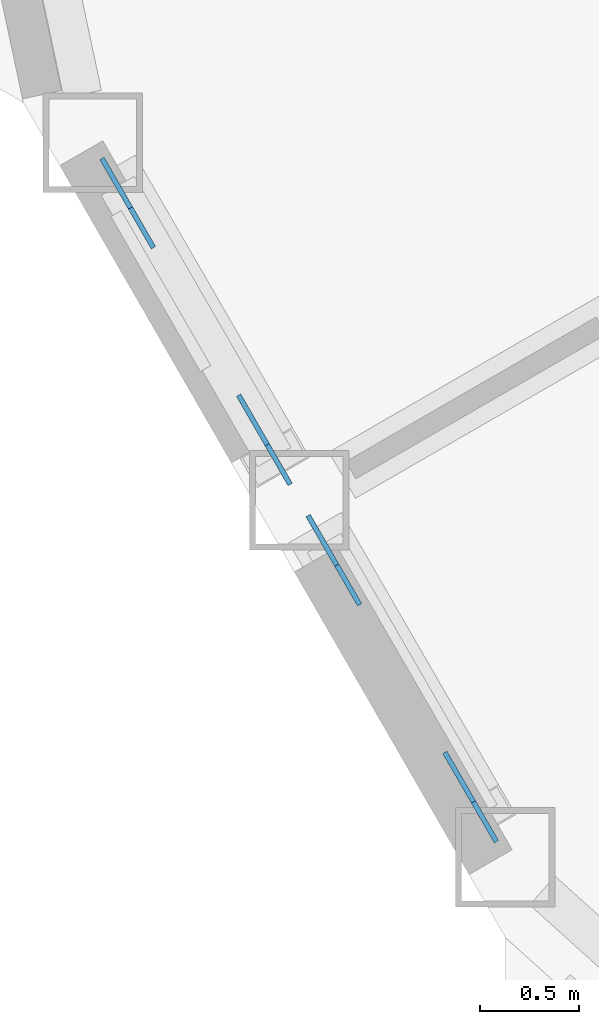
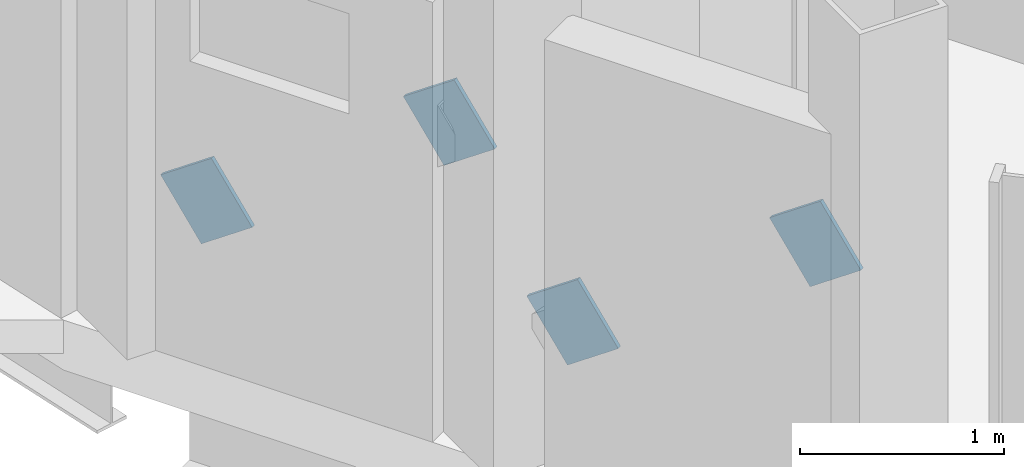
# One storey, part 19 of 26: 4 discrete accessories.
"""IFC4 building model written with IfcOpenShell, lengths in metres."""

from ifc_helpers import new_model, si_unit, direction, frame, origin, origin_2d, place, context, subcontext, project, spatial, rectangle, extrude, material, material_profile, profile_set, type_object, element, save


model = new_model("IFC4")

# Units and contexts
model_context = context("Model", 3, precision=1e-05, world=origin(), true_north=direction((0.0, 1.0)))
body_context = subcontext(model_context, "Body", "Model", "MODEL_VIEW")
ifc_project = project(units=[si_unit("LENGTHUNIT", "METRE"), si_unit("AREAUNIT", "SQUARE_METRE"), si_unit("VOLUMEUNIT", "CUBIC_METRE"), si_unit("PLANEANGLEUNIT", "RADIAN"), si_unit("MASSUNIT", "GRAM", prefix="KILO")], contexts=[model_context])

# Site, building, storey
site_placement = place(None, origin())
site = spatial("IfcSite", under=ifc_project, at=site_placement, CompositionType="ELEMENT")
building_placement = place(site_placement, origin())
building = spatial("IfcBuilding", under=site, at=building_placement, Name="Cormorant Prow Tower", CompositionType="ELEMENT")
storey_placement = place(building_placement, frame((0.0, 0.0, 381.39990234375)))
storey = spatial("IfcBuildingStorey", under=building, at=storey_placement, Name="L86", CompositionType="ELEMENT", Elevation=381.39990234375)

# Discrete accessories
ifc_material = material(Name="Structural steel ASTM A500 Gr C", Category="steel")
ifc_material_profile = material_profile(ifc_material, rectangle(XDim=0.02490234375, YDim=0.405029296875, at=origin_2d()), Name="Gusset plate 25x405")
ifc_profile_set = profile_set([ifc_material_profile], Name="Structural steel ASTM A500 Gr C")
discrete_accessory_type = type_object("IfcDiscreteAccessoryType", Name="Gusset plate 25x405", PredefinedType="BRACKET", material=ifc_profile_set)
discrete_accessory_1_placement = place(storey_placement, frame((-27.8271484375, -14.2412109375, 0.94140625), z_axis=(-0.410852891059, 0.712191514043, -0.569195176748), x_axis=(-0.866199709737, -0.499697971631, 0.0)))
element("IfcDiscreteAccessory", 1, at=discrete_accessory_1_placement, inside=storey, type_object=discrete_accessory_type, Name="Gusset plate GP3 L86.WSW00.g0", PredefinedType="BRACKET", context=body_context, shape_type="SweptSolid", body=[
    extrude(rectangle(XDim=0.02490234375, YDim=0.405029296875, at=origin_2d()), origin(), (0.0, 0.0, 1.0), 0.35009765625),
])
discrete_accessory_2_placement = place(storey_placement, frame((-27.28369140625, -15.182373046875, 1.69287109375), z_axis=(0.411595697368, -0.712269842394, 0.568560158228), x_axis=(0.865832418869, 0.500334110806, 0.0)))
element("IfcDiscreteAccessory", 2, at=discrete_accessory_2_placement, inside=storey, type_object=discrete_accessory_type, Name="Gusset plate GP3 L86.WSW00.g1", PredefinedType="BRACKET", context=body_context, shape_type="SweptSolid", body=[
    extrude(rectangle(XDim=0.02490234375, YDim=0.405029296875, at=origin_2d()), origin(), (0.0, 0.0, 1.0), 0.349853515625),
])
discrete_accessory_3_placement = place(storey_placement, frame((-26.7900390625, -16.037109375, 0.94140625), z_axis=(-0.411432439557, 0.711987323368, -0.5690319842), x_axis=(-0.865832418869, -0.500334110806, 0.0)))
element("IfcDiscreteAccessory", 3, at=discrete_accessory_3_placement, inside=storey, type_object=discrete_accessory_type, Name="Gusset plate GP3 L86.WSW01.g0", PredefinedType="BRACKET", context=body_context, shape_type="SweptSolid", body=[
    extrude(rectangle(XDim=0.02490234375, YDim=0.405029296875, at=origin_2d()), origin(), (0.0, 0.0, 1.0), 0.35009765625),
])
discrete_accessory_4_placement = place(storey_placement, frame((-26.246826171875, -16.978271484375, 1.69287109375), z_axis=(0.411595697368, -0.712269842394, 0.568560158228), x_axis=(0.865832418869, 0.500334110806, 0.0)))
element("IfcDiscreteAccessory", 4, at=discrete_accessory_4_placement, inside=storey, type_object=discrete_accessory_type, Name="Gusset plate GP3 L86.WSW01.g1", PredefinedType="BRACKET", context=body_context, shape_type="SweptSolid", body=[
    extrude(rectangle(XDim=0.02490234375, YDim=0.405029296875, at=origin_2d()), origin(), (0.0, 0.0, 1.0), 0.349853515625),
])

save(model, "model.ifc")
